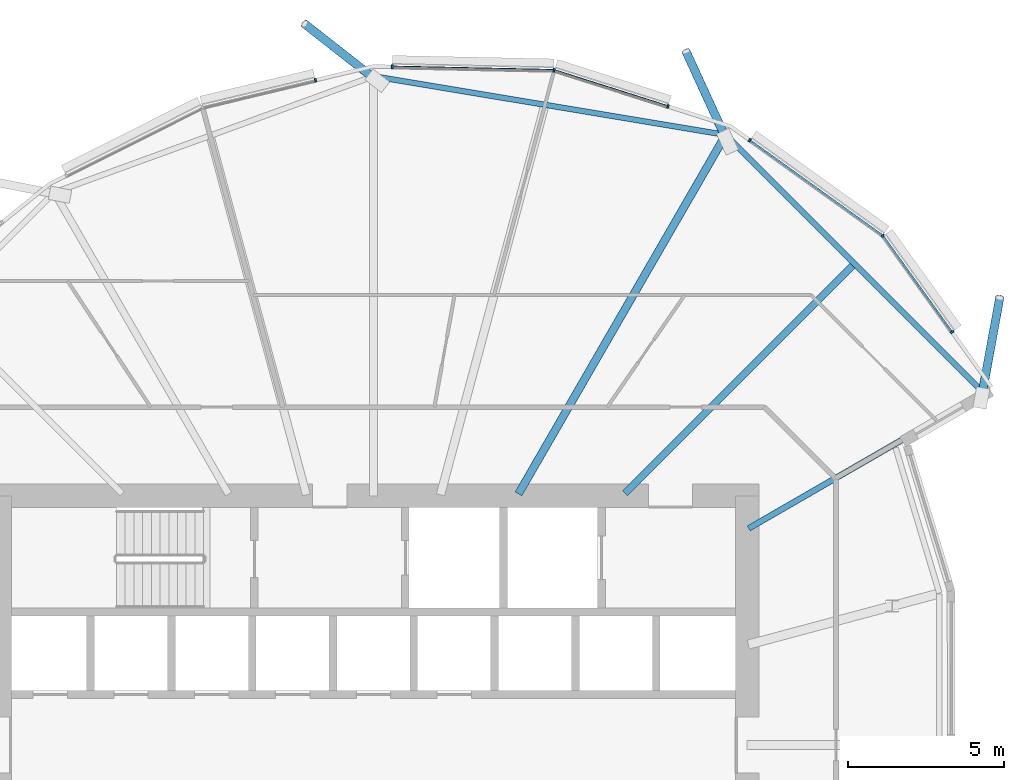
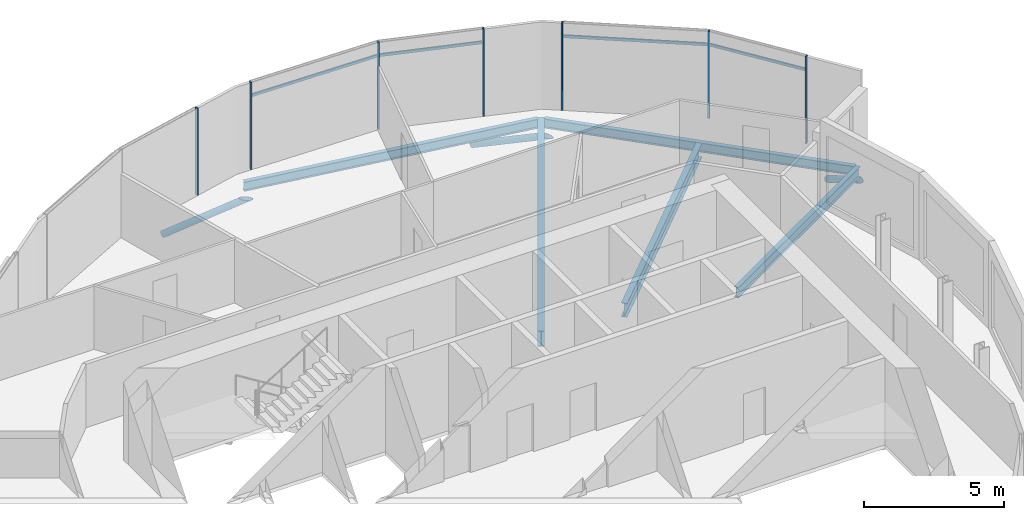
# One storey, part 18 of 38: 14 members, 5 beams, 1 element without a shape of its own.
"""IFC4 building model written with IfcOpenShell, lengths in metres."""

from ifc_helpers import new_model, si_unit, direction, frame, origin, origin_2d, place, context, subcontext, project, spatial, rectangle, hollow_circle, i_section, extrude, clip, halfspace, material, material_profile, profile_set, type_object, element, aggregate, save


model = new_model("IFC4")

# Units and contexts
model_context = context("Model", 3, precision=1e-05, world=origin(), true_north=direction((0.0, 1.0)))
body_context = subcontext(model_context, "Body", "Model", "MODEL_VIEW")
ifc_project = project(units=[si_unit("LENGTHUNIT", "METRE"), si_unit("AREAUNIT", "SQUARE_METRE"), si_unit("VOLUMEUNIT", "CUBIC_METRE"), si_unit("PLANEANGLEUNIT", "RADIAN"), si_unit("MASSUNIT", "GRAM", prefix="KILO")], contexts=[model_context])

# Site, building, storey
site_placement = place(None, origin())
site = spatial("IfcSite", under=ifc_project, at=site_placement, CompositionType="ELEMENT")
building_placement = place(site_placement, origin())
building = spatial("IfcBuilding", under=site, at=building_placement, Name="Rimbun Link Towers", CompositionType="ELEMENT")
storey_placement = place(building_placement, frame((0.0, 0.0, 123.39990234375)))
storey = spatial("IfcBuildingStorey", under=building, at=storey_placement, Name="L30", CompositionType="ELEMENT", Elevation=123.39990234375)

# Curtain wall, members
ifc_material_1 = material(Name="Aluminium 6063-T6 and low-iron glass", Category="aluminium")
curtain_wall_type = type_object("IfcCurtainWallType", Name="CW1-Z2 unitised vision wall (zone 2)", PredefinedType="NOTDEFINED", material=ifc_material_1)
curtain_wall_placement = place(storey_placement, origin())
curtain_wall = element("IfcCurtainWall", 1, at=curtain_wall_placement, inside=storey, type_object=curtain_wall_type, Name="CW1 L30 T2", PredefinedType="NOTDEFINED")
ifc_material_2 = material(Name="Aluminium 6063-T6", Category="aluminium")
ifc_material_profile_1 = material_profile(ifc_material_2, rectangle(XDim=0.1201171875, YDim=0.06005859375, at=origin_2d()), Name="MULLION 60X120")
ifc_profile_set_1 = profile_set([ifc_material_profile_1], Name="Aluminium 6063-T6")
member_type_1 = type_object("IfcMemberType", Name="CW1 mullion 60X120", PredefinedType="MULLION", material=ifc_profile_set_1)
member_1_placement = place(storey_placement, frame((43.832763671875, 19.42333984375, 0.0), z_axis=(0.0, 0.0, 1.0), x_axis=(0.583004026034, 0.812469264421, 0.0)))
member_1 = element("IfcMember", 2, at=member_1_placement, type_object=member_type_1, Name="CW1 mullion", PredefinedType="MULLION", context=body_context, shape_type="SweptSolid", body=[
    extrude(rectangle(XDim=0.1201171875, YDim=0.06005859375, at=origin_2d()), origin(), (0.0, 0.0, 1.0), 3.800048828125),
])
member_2_placement = place(storey_placement, frame((48.10595703125, 16.35595703125, 0.0), z_axis=(0.0, 0.0, 1.0), x_axis=(0.707106781187, 0.707106781187, 0.0)))
member_2 = element("IfcMember", 3, at=member_2_placement, type_object=member_type_1, Name="CW1 mullion", PredefinedType="MULLION", context=body_context, shape_type="SweptSolid", body=[
    extrude(rectangle(XDim=0.1201171875, YDim=0.06005859375, at=origin_2d()), origin(), (0.0, 0.0, 1.0), 3.800048828125),
])
member_3_placement = place(storey_placement, frame((37.5498046875, 21.66748046875, 0.0), z_axis=(0.0, 0.0, 1.0), x_axis=(0.163751300484, 0.98650165311, 0.0)))
member_3 = element("IfcMember", 4, at=member_3_placement, type_object=member_type_1, Name="CW1 mullion", PredefinedType="MULLION", context=body_context, shape_type="SweptSolid", body=[
    extrude(rectangle(XDim=0.1201171875, YDim=0.06005859375, at=origin_2d()), origin(), (0.0, 0.0, 1.0), 3.800048828125),
])
member_4_placement = place(storey_placement, frame((41.205322265625, 20.505615234375, 0.0), z_axis=(0.0, 0.0, 1.0), x_axis=(0.303073433186, 0.952967205153, 0.0)))
member_4 = element("IfcMember", 5, at=member_4_placement, type_object=member_type_1, Name="CW1 mullion", PredefinedType="MULLION", context=body_context, shape_type="SweptSolid", body=[
    extrude(rectangle(XDim=0.1201171875, YDim=0.06005859375, at=origin_2d()), origin(), (0.0, 0.0, 1.0), 3.800048828125),
])
member_5_placement = place(storey_placement, frame((32.35107421875, 21.777587890625, 0.0), z_axis=(0.0, 0.0, 1.0), x_axis=(0.02106649948, 0.999778076675, 0.0)))
member_5 = element("IfcMember", 6, at=member_5_placement, type_object=member_type_1, Name="CW1 mullion", PredefinedType="MULLION", context=body_context, shape_type="SweptSolid", body=[
    extrude(rectangle(XDim=0.1201171875, YDim=0.06005859375, at=origin_2d()), origin(), (0.0, 0.0, 1.0), 3.800048828125),
])
member_6_placement = place(storey_placement, frame((29.88818359375, 21.3466796875, 0.0), z_axis=(0.0, 0.0, 1.0), x_axis=(-0.232603182737, 0.972571724543, 0.0)))
member_6 = element("IfcMember", 7, at=member_6_placement, type_object=member_type_1, Name="CW1 mullion", PredefinedType="MULLION", context=body_context, shape_type="SweptSolid", body=[
    extrude(rectangle(XDim=0.1201171875, YDim=0.06005859375, at=origin_2d()), origin(), (0.0, 0.0, 1.0), 3.800048828125),
])
member_7_placement = place(storey_placement, frame((50.328125, 13.2607421875, 0.0), z_axis=(0.0, 0.0, 1.0), x_axis=(0.812469264421, 0.583004026034, 0.0)))
member_7 = element("IfcMember", 8, at=member_7_placement, type_object=member_type_1, Name="CW1 mullion", PredefinedType="MULLION", context=body_context, shape_type="SweptSolid", body=[
    extrude(rectangle(XDim=0.1201171875, YDim=0.06005859375, at=origin_2d()), origin(), (0.0, 0.0, 1.0), 3.800048828125),
])
ifc_material_3 = material(Name="Aluminium 6063-T6", Category="aluminium")
ifc_material_profile_2 = material_profile(ifc_material_3, rectangle(XDim=0.06005859375, YDim=0.1201171875, at=origin_2d()), Name="TRANSOM 60X120")
ifc_profile_set_2 = profile_set([ifc_material_profile_2], Name="Aluminium 6063-T6")
member_type_2 = type_object("IfcMemberType", Name="CW1 transom 60X120", PredefinedType="USERDEFINED", material=ifc_profile_set_2)
member_8_placement = place(storey_placement, frame((43.85595703125, 19.404296875, 3.2001953125), z_axis=(0.812460270019, -0.583016560348, 0.0), x_axis=(0.583016560348, 0.812460270019, 0.0)))
member_8 = element("IfcMember", 9, at=member_8_placement, type_object=member_type_2, Name="CW1 transom", ObjectType="TRANSOM", PredefinedType="USERDEFINED", context=body_context, shape_type="SweptSolid", body=[
    extrude(rectangle(XDim=0.06005859375, YDim=0.1201171875, at=origin_2d()), origin(), (0.0, 0.0, 1.0), 5.1904296875),
])
member_9_placement = place(storey_placement, frame((37.586181640625, 21.654541015625, 3.2001953125), z_axis=(0.952960668818, -0.303093984907, 0.0), x_axis=(0.303093984907, 0.952960668818, 0.0)))
member_9 = element("IfcMember", 10, at=member_9_placement, type_object=member_type_2, Name="CW1 transom", ObjectType="TRANSOM", PredefinedType="USERDEFINED", context=body_context, shape_type="SweptSolid", body=[
    extrude(rectangle(XDim=0.06005859375, YDim=0.1201171875, at=origin_2d()), origin(), (0.0, 0.0, 1.0), 3.767333984375),
])
member_10_placement = place(storey_placement, frame((32.381103515625, 21.77490234375, 3.2001953125), z_axis=(0.999778846236, -0.02102994575, 0.0), x_axis=(0.02102994575, 0.999778846236, 0.0)))
member_10 = element("IfcMember", 11, at=member_10_placement, type_object=member_type_2, Name="CW1 transom", ObjectType="TRANSOM", PredefinedType="USERDEFINED", context=body_context, shape_type="SweptSolid", body=[
    extrude(rectangle(XDim=0.06005859375, YDim=0.1201171875, at=origin_2d()), origin(), (0.0, 0.0, 1.0), 5.13134765625),
])
member_11_placement = place(storey_placement, frame((48.128173828125, 16.322998046875, 3.2001953125), z_axis=(0.582990310005, -0.812479106464, 0.0), x_axis=(0.812479106464, 0.582990310005, 0.0)))
member_11 = element("IfcMember", 12, at=member_11_placement, type_object=member_type_2, Name="CW1 transom", ObjectType="TRANSOM", PredefinedType="USERDEFINED", context=body_context, shape_type="SweptSolid", body=[
    extrude(rectangle(XDim=0.06005859375, YDim=0.1201171875, at=origin_2d()), origin(), (0.0, 0.0, 1.0), 3.740478515625),
])
aggregate(curtain_wall, [member_1, member_2, member_3, member_4, member_5, member_6, member_7, member_8, member_9, member_10, member_11])

# Members
ifc_material_4 = material(Name="Steel S355J2H", Category="steel")
ifc_material_profile_3 = material_profile(ifc_material_4, hollow_circle(Radius=0.136474609375, WallThickness=0.012451171875, at=origin_2d()), Name="CHS 273x12.5")
ifc_profile_set_3 = profile_set([ifc_material_profile_3], Name="Steel S355J2H")
member_type_3 = type_object("IfcMemberType", Name="Floor edge link CHS 273x12.5", PredefinedType="BRACE", material=ifc_profile_set_3)
member_12_placement = place(storey_placement, frame((43.035400390625, 19.547119140625, -0.964599609375), z_axis=(-0.369879014059, 0.806609702059, -0.461053471415), x_axis=(-0.908986737612, -0.41682503625, 0.0)))
element("IfcMember", 13, at=member_12_placement, inside=storey, type_object=member_type_3, Name="Floor edge link T2 L30 01", PredefinedType="BRACE", context=body_context, shape_type="Clipping", body=[
    clip(extrude(hollow_circle(Radius=0.136474609375, WallThickness=0.012451171875, at=origin_2d()), frame((0.0, 0.0, -0.547119140625)), (0.0, 0.0, 1.0), 3.93994140625), halfspace(frame((0.0, 0.0, -0.258544921875), z_axis=(0.0, 0.887372355044, -0.461053471415)), False)),
])
member_13_placement = place(storey_placement, frame((31.75, 21.423095703125, -0.959716796875), z_axis=(-0.670369943816, 0.525429076166, -0.523954601419), x_axis=(-0.616884561477, -0.787053643541, 0.0)))
element("IfcMember", 14, at=member_13_placement, inside=storey, type_object=member_type_3, Name="Floor edge link T2 L30 03", PredefinedType="BRACE", context=body_context, shape_type="Clipping", body=[
    clip(extrude(hollow_circle(Radius=0.136474609375, WallThickness=0.012451171875, at=origin_2d()), frame((0.0, 0.0, -0.462890625)), (0.0, 0.0, 1.0), 3.7744140625), halfspace(frame((0.0, 0.0, -0.21826171875), z_axis=(0.0, 0.851746192039, -0.523954601419)), False)),
])
member_14_placement = place(storey_placement, frame((51.297119140625, 11.285400390625, -0.727783203125), z_axis=(0.150517379092, 0.82413151981, -0.546032743201), x_axis=(-0.983727734845, 0.179665644172, 0.0)))
element("IfcMember", 15, at=member_14_placement, inside=storey, type_object=member_type_3, Name="Floor edge link T2 L30 23", PredefinedType="BRACE", context=body_context, shape_type="Clipping", body=[
    clip(extrude(hollow_circle(Radius=0.136474609375, WallThickness=0.012451171875, at=origin_2d()), frame((0.0, 0.0, -0.437255859375)), (0.0, 0.0, 1.0), 4.18408203125), halfspace(frame((0.0, 0.0, -0.2060546875), z_axis=(0.0, 0.837763835071, -0.546032743201)), False)),
])

# Beams
ifc_material_5 = material(Name="Steel S355J2", Category="steel")
ifc_material_profile_4 = material_profile(ifc_material_5, i_section(OverallWidth=0.177978515625, OverallDepth=0.406494140625, WebThickness=0.0078125, FlangeThickness=0.0126953125, at=origin_2d()), Name="UB 406x178x60")
ifc_profile_set_4 = profile_set([ifc_material_profile_4], Name="Steel S355J2")
beam_type_1 = type_object("IfcBeamType", Name="UB 406x178x60", PredefinedType="BEAM", material=ifc_profile_set_4)
beam_1_placement = place(storey_placement, frame((42.92578125, 19.61279296875, -0.363037109375), z_axis=(-0.986426307152, 0.164204569239, 0.0), x_axis=(-0.164204569239, -0.986426307152, 0.0)))
element("IfcBeam", 16, at=beam_1_placement, inside=storey, type_object=beam_type_1, Name="Edge beam T2 L30 01-03", PredefinedType="BEAM", context=body_context, shape_type="SweptSolid", body=[
    extrude(i_section(OverallWidth=0.177978515625, OverallDepth=0.406494140625, WebThickness=0.0078125, FlangeThickness=0.0126953125, at=origin_2d()), origin(), (0.0, 0.0, 1.0), 11.2001953125),
])
beam_2_placement = place(storey_placement, frame((51.27001953125, 11.380615234375, -0.363037109375), z_axis=(-0.707106781187, 0.707106781187, 0.0), x_axis=(-0.707106781187, -0.707106781187, 0.0)))
element("IfcBeam", 17, at=beam_2_placement, inside=storey, type_object=beam_type_1, Name="Edge beam T2 L30 23-01", PredefinedType="BEAM", context=body_context, shape_type="SweptSolid", body=[
    extrude(i_section(OverallWidth=0.177978515625, OverallDepth=0.406494140625, WebThickness=0.0078125, FlangeThickness=0.0126953125, at=origin_2d()), origin(), (0.0, 0.0, 1.0), 11.477783203125),
])
ifc_material_6 = material(Name="Steel S355J2", Category="steel")
ifc_material_profile_5 = material_profile(ifc_material_6, i_section(OverallWidth=0.18994140625, OverallDepth=0.453369140625, WebThickness=0.008544921875, FlangeThickness=0.0126953125, at=origin_2d()), Name="UB 457x191x67")
ifc_profile_set_5 = profile_set([ifc_material_profile_5], Name="Steel S355J2")
beam_type_2 = type_object("IfcBeamType", Name="UB 457x191x67", PredefinedType="BEAM", material=ifc_profile_set_5)
beam_3_placement = place(storey_placement, frame((43.79833984375, 6.9560546875, -0.38671875), z_axis=(0.866031528113, 0.499989392202, 0.0), x_axis=(-0.499989392202, 0.866031528113, 0.0)))
element("IfcBeam", 18, at=beam_3_placement, inside=storey, type_object=beam_type_2, Name="Radial beam T2 L30 23", PredefinedType="BEAM", context=body_context, shape_type="SweptSolid", body=[
    extrude(i_section(OverallWidth=0.18994140625, OverallDepth=0.453369140625, WebThickness=0.008544921875, FlangeThickness=0.0126953125, at=origin_2d()), origin(), (0.0, 0.0, 1.0), 8.708740234375),
])
ifc_material_7 = material(Name="Steel S355J2", Category="steel")
ifc_material_profile_6 = material_profile(ifc_material_7, i_section(OverallWidth=0.2275390625, OverallDepth=0.6025390625, WebThickness=0.010498046875, FlangeThickness=0.014892578125, at=origin_2d()), Name="UB 610x229x101")
ifc_profile_set_6 = profile_set([ifc_material_profile_6], Name="Steel S355J2")
beam_type_3 = type_object("IfcBeamType", Name="UB 610x229x101", PredefinedType="BEAM", material=ifc_profile_set_6)
beam_4_placement = place(storey_placement, frame((39.831298828125, 8.081298828125, -0.461181640625), z_axis=(0.707106781187, 0.707106781187, 0.0), x_axis=(-0.707106781187, 0.707106781187, 0.0)))
element("IfcBeam", 19, at=beam_4_placement, inside=storey, type_object=beam_type_3, Name="Radial beam T2 L30 00", PredefinedType="BEAM", context=body_context, shape_type="SweptSolid", body=[
    extrude(i_section(OverallWidth=0.2275390625, OverallDepth=0.6025390625, WebThickness=0.010498046875, FlangeThickness=0.014892578125, at=origin_2d()), origin(), (0.0, 0.0, 1.0), 10.33154296875),
])
ifc_material_8 = material(Name="Steel S355J2", Category="steel")
ifc_material_profile_7 = material_profile(ifc_material_8, i_section(OverallWidth=0.253662109375, OverallDepth=0.68359375, WebThickness=0.012451171875, FlangeThickness=0.01904296875, at=origin_2d()), Name="UB 686x254x140")
ifc_profile_set_7 = profile_set([ifc_material_profile_7], Name="Steel S355J2")
beam_type_4 = type_object("IfcBeamType", Name="UB 686x254x140", PredefinedType="BEAM", material=ifc_profile_set_7)
beam_5_placement = place(storey_placement, frame((36.406005859375, 8.064208984375, -0.501708984375), z_axis=(0.499982340756, 0.866035599114, 0.0), x_axis=(-0.866035599114, 0.499982340756, 0.0)))
element("IfcBeam", 20, at=beam_5_placement, inside=storey, type_object=beam_type_4, Name="Radial beam T2 L30 01", PredefinedType="BEAM", context=body_context, shape_type="SweptSolid", body=[
    extrude(i_section(OverallWidth=0.253662109375, OverallDepth=0.68359375, WebThickness=0.012451171875, FlangeThickness=0.01904296875, at=origin_2d()), origin(), (0.0, 0.0, 1.0), 13.30908203125),
])

save(model, "model.ifc")
